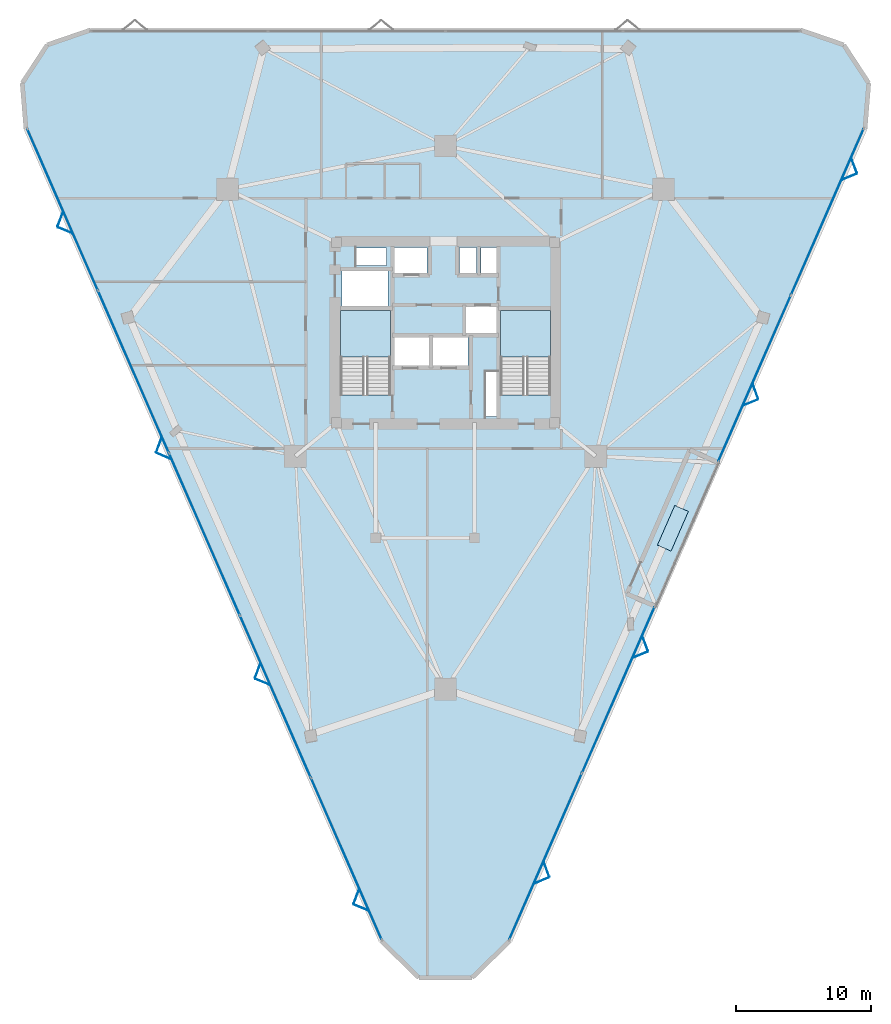
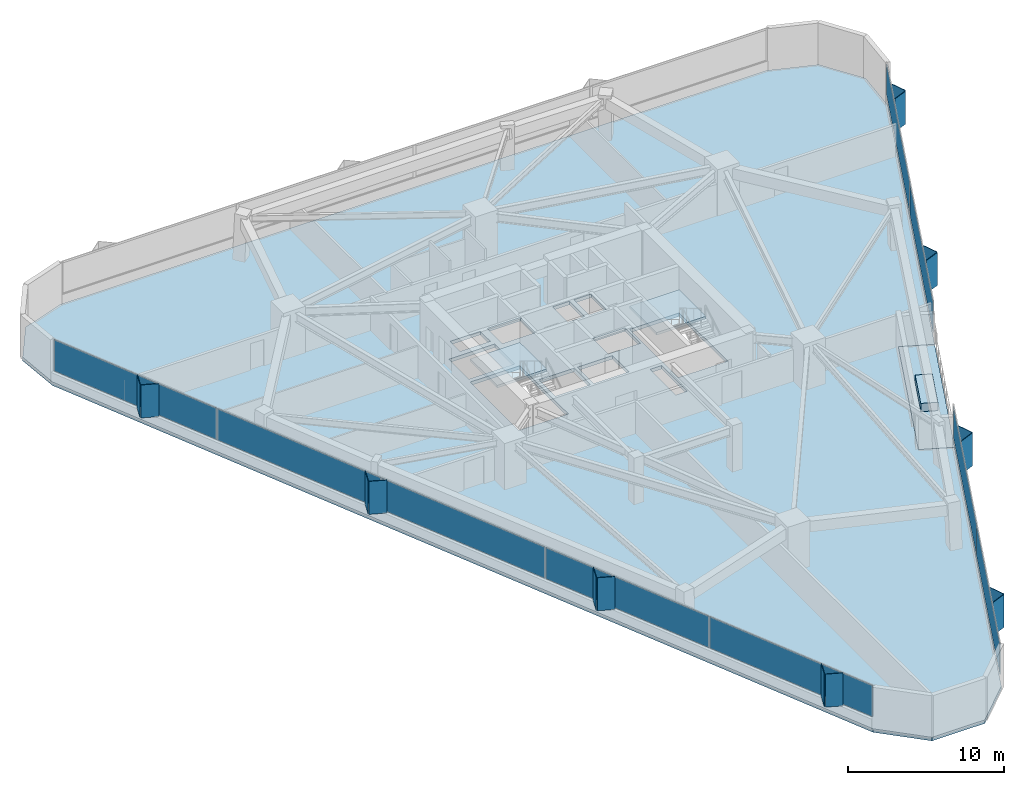
# One storey, part 10 of 14: 26 plates, 4 slabs, 5 elements without a shape of their own.
"""IFC4 building model written with IfcOpenShell, lengths in metres."""

from ifc_helpers import new_model, si_unit, direction, frame, origin, origin_2d, place, context, subcontext, project, spatial, polyline, rectangle, outline, extrude, material, layer, layer_set, type_object, element, aggregate, save


model = new_model("IFC4")

# Units and contexts
model_context = context("Model", 3, precision=1e-05, world=origin(), true_north=direction((0.0, 1.0)))
body_context = subcontext(model_context, "Body", "Model", "MODEL_VIEW")
ifc_project = project(units=[si_unit("LENGTHUNIT", "METRE"), si_unit("AREAUNIT", "SQUARE_METRE"), si_unit("VOLUMEUNIT", "CUBIC_METRE"), si_unit("PLANEANGLEUNIT", "RADIAN"), si_unit("MASSUNIT", "GRAM", prefix="KILO")], contexts=[model_context])

# Site, building, storey
site_placement = place(None, origin())
site = spatial("IfcSite", under=ifc_project, at=site_placement, CompositionType="ELEMENT")
building_placement = place(site_placement, origin())
building = spatial("IfcBuilding", under=site, at=building_placement, Name="Talyreon Biosciences Tower", CompositionType="ELEMENT")
storey_placement = place(building_placement, frame((0.0, 0.0, 96.89990234375)))
storey = spatial("IfcBuildingStorey", under=building, at=storey_placement, Name="L25", CompositionType="ELEMENT", Elevation=96.89990234375)

# Curtain wall, plates
ifc_material_1 = material(Name="Thermally broken aluminium and low-E glazing", Category="aluminium")
ifc_layer_1 = layer(ifc_material_1, 0.205078125)
ifc_layer_set_1 = layer_set([ifc_layer_1], Name="Thermally broken aluminium and low-E glazing")
curtain_wall_type = type_object("IfcCurtainWallType", Name="CurtainWall_SkyGardenLoggia", PredefinedType="NOTDEFINED", material=ifc_layer_set_1)
curtain_wall_1_placement = place(storey_placement, origin())
curtain_wall_1 = element("IfcCurtainWall", 1, at=curtain_wall_1_placement, inside=storey, type_object=curtain_wall_type, Name="L25 Unitised Curtain Wall FCW-L25-07", PredefinedType="NOTDEFINED")
ifc_material_2 = material(Name="Acoustic laminated low-E insulated glazing", Category="glass")
ifc_layer_2 = layer(ifc_material_2, 0.0380859375)
ifc_layer_set_2 = layer_set([ifc_layer_2], Name="Acoustic laminated low-E insulated glazing")
plate_type_1 = type_object("IfcPlateType", Name="CWGlazingPanel_38", PredefinedType="CURTAIN_PANEL", material=ifc_layer_set_2)
plate_1_placement = place(storey_placement, frame((94.20654296875, 76.916748046875, 0.875), z_axis=(0.0, 0.0, 1.0), x_axis=(-0.400542784513, -0.916278057019, 0.0)))
plate_1 = element("IfcPlate", 2, at=plate_1_placement, type_object=plate_type_1, Name="CW7 panel 1.1", PredefinedType="CURTAIN_PANEL", context=body_context, shape_type="SweptSolid", body=[
    extrude(rectangle(XDim=13.352294921875, YDim=0.0380859375, at=origin_2d()), origin(), (0.0, 0.0, 1.0), 2.43505859375),
])
plate_2_placement = place(storey_placement, frame((88.828125, 64.613525390625, 0.875), z_axis=(0.0, 0.0, 1.0), x_axis=(-0.400542784513, -0.916278057019, 0.0)))
plate_2 = element("IfcPlate", 3, at=plate_2_placement, type_object=plate_type_1, Name="CW7 panel 2.1", PredefinedType="CURTAIN_PANEL", context=body_context, shape_type="SweptSolid", body=[
    extrude(rectangle(XDim=13.352294921875, YDim=0.0380859375, at=origin_2d()), origin(), (0.0, 0.0, 1.0), 2.43505859375),
])
aggregate(curtain_wall_1, [plate_1, plate_2])

curtain_wall_2_placement = place(storey_placement, origin())
curtain_wall_2 = element("IfcCurtainWall", 4, at=curtain_wall_2_placement, inside=storey, type_object=curtain_wall_type, Name="L25 Unitised Curtain Wall FCW-L25-11", PredefinedType="NOTDEFINED")
plate_3_placement = place(storey_placement, frame((78.773681640625, 41.61279296875, 0.875), z_axis=(0.0, 0.0, 1.0), x_axis=(-0.400541421669, -0.916278652773, 0.0)))
plate_3 = element("IfcPlate", 5, at=plate_3_placement, type_object=plate_type_1, Name="CW7 panel 1.1", PredefinedType="CURTAIN_PANEL", context=body_context, shape_type="SweptSolid", body=[
    extrude(rectangle(XDim=13.352294921875, YDim=0.0380859375, at=origin_2d()), origin(), (0.0, 0.0, 1.0), 2.43505859375),
])
plate_4_placement = place(storey_placement, frame((73.3955078125, 29.3095703125, 0.875), z_axis=(0.0, 0.0, 1.0), x_axis=(-0.400541421669, -0.916278652773, 0.0)))
plate_4 = element("IfcPlate", 6, at=plate_4_placement, type_object=plate_type_1, Name="CW7 panel 2.1", PredefinedType="CURTAIN_PANEL", context=body_context, shape_type="SweptSolid", body=[
    extrude(rectangle(XDim=13.352294921875, YDim=0.0380859375, at=origin_2d()), origin(), (0.0, 0.0, 1.0), 2.43505859375),
])
aggregate(curtain_wall_2, [plate_3, plate_4])

curtain_wall_3_placement = place(storey_placement, origin())
curtain_wall_3 = element("IfcCurtainWall", 7, at=curtain_wall_3_placement, inside=storey, type_object=curtain_wall_type, Name="L25 Unitised Curtain Wall FCW-L25-15", PredefinedType="NOTDEFINED")
plate_5_placement = place(storey_placement, frame((58.67919921875, 29.138671875, 0.875), z_axis=(0.0, 0.0, 1.0), x_axis=(-0.400542414041, 0.916278218967, 0.0)))
plate_5 = element("IfcPlate", 8, at=plate_5_placement, type_object=plate_type_1, Name="CW7 panel 1.1", PredefinedType="CURTAIN_PANEL", context=body_context, shape_type="SweptSolid", body=[
    extrude(rectangle(XDim=12.9794921875, YDim=0.0380859375, at=origin_2d()), origin(), (0.0, 0.0, 1.0), 2.43505859375),
])
plate_6_placement = place(storey_placement, frame((53.44287109375, 41.1171875, 0.875), z_axis=(0.0, 0.0, 1.0), x_axis=(-0.400542414041, 0.916278218967, 0.0)))
plate_6 = element("IfcPlate", 9, at=plate_6_placement, type_object=plate_type_1, Name="CW7 panel 2.1", PredefinedType="CURTAIN_PANEL", context=body_context, shape_type="SweptSolid", body=[
    extrude(rectangle(XDim=13.016845703125, YDim=0.0380859375, at=origin_2d()), origin(), (0.0, 0.0, 1.0), 2.43505859375),
])
plate_7_placement = place(storey_placement, frame((48.198974609375, 53.113037109375, 0.875), z_axis=(0.0, 0.0, 1.0), x_axis=(-0.400542414041, 0.916278218967, 0.0)))
plate_7 = element("IfcPlate", 10, at=plate_7_placement, type_object=plate_type_1, Name="CW7 panel 3.1", PredefinedType="CURTAIN_PANEL", context=body_context, shape_type="SweptSolid", body=[
    extrude(rectangle(XDim=13.016845703125, YDim=0.0380859375, at=origin_2d()), origin(), (0.0, 0.0, 1.0), 2.43505859375),
])
plate_8_placement = place(storey_placement, frame((42.955078125, 65.10888671875, 0.875), z_axis=(0.0, 0.0, 1.0), x_axis=(-0.400542414041, 0.916278218967, 0.0)))
plate_8 = element("IfcPlate", 11, at=plate_8_placement, type_object=plate_type_1, Name="CW7 panel 4.1", PredefinedType="CURTAIN_PANEL", context=body_context, shape_type="SweptSolid", body=[
    extrude(rectangle(XDim=13.016845703125, YDim=0.0380859375, at=origin_2d()), origin(), (0.0, 0.0, 1.0), 2.43505859375),
])
plate_9_placement = place(storey_placement, frame((37.71875, 77.08740234375, 0.875), z_axis=(0.0, 0.0, 1.0), x_axis=(-0.400542414041, 0.916278218967, 0.0)))
plate_9 = element("IfcPlate", 12, at=plate_9_placement, type_object=plate_type_1, Name="CW7 panel 5.1", PredefinedType="CURTAIN_PANEL", context=body_context, shape_type="SweptSolid", body=[
    extrude(rectangle(XDim=12.9794921875, YDim=0.0380859375, at=origin_2d()), origin(), (0.0, 0.0, 1.0), 2.43505859375),
])
aggregate(curtain_wall_3, [plate_5, plate_6, plate_7, plate_8, plate_9])

# Plates
ifc_material_3 = material(Name="Ivory GFRC sunshade panel", Category="concrete")
ifc_layer_3 = layer(ifc_material_3, 0.044921875)
ifc_layer_set_3 = layer_set([ifc_layer_3], Name="Ivory GFRC sunshade panel")
plate_type_2 = type_object("IfcPlateType", Name="FoldedVSunshade_SunFace_SUNSHADE", PredefinedType="USERDEFINED", material=ifc_layer_set_3)
for number, where, z_axis, x_axis, name in (
    (13, (96.18408203125, 80.342529296875, 0.7900390625), (0.0, 0.0, 1.0), (0.348375735797, -0.937354973693, 0.0), "L25 Folded V-Sunshade Panel 07.01L"),
    (14, (95.82373046875, 79.517822265625, 0.7900390625), (0.0, 0.0, 1.0), (-0.924625824527, -0.380876731525, 0.0), "L25 Folded V-Sunshade Panel 07.01R"),
    (15, (88.894287109375, 63.666259765625, 0.7900390625), (0.0, 0.0, 1.0), (0.348375735797, -0.937354973693, 0.0), "L25 Folded V-Sunshade Panel 07.02L"),
    (16, (88.533935546875, 62.841552734375, 0.7900390625), (0.0, 0.0, 1.0), (-0.924625824527, -0.380876731525, 0.0), "L25 Folded V-Sunshade Panel 07.02R"),
    (17, (80.75146484375, 45.03857421875, 0.7900390625), (0.0, 0.0, 1.0), (0.348375735797, -0.937354973693, 0.0), "L25 Folded V-Sunshade Panel 11.01L"),
    (18, (80.390869140625, 44.2138671875, 0.7900390625), (0.0, 0.0, 1.0), (-0.924625824527, -0.380876731525, 0.0), "L25 Folded V-Sunshade Panel 11.01R"),
    (19, (73.461669921875, 28.3623046875, 0.7900390625), (0.0, 0.0, 1.0), (0.348375735797, -0.937354973693, 0.0), "L25 Folded V-Sunshade Panel 11.02L"),
    (20, (73.10107421875, 27.53759765625, 0.7900390625), (0.0, 0.0, 1.0), (-0.924625824527, -0.380876731525, 0.0), "L25 Folded V-Sunshade Panel 11.02R"),
    (21, (59.77587890625, 25.53125, 0.7900390625), (0.0, 0.0, 1.0), (-0.924625824527, 0.380876731525, 0.0), "L25 Folded V-Sunshade Panel 15.01L"),
    (22, (59.41552734375, 26.35595703125, 0.7900390625), (0.0, 0.0, 1.0), (0.348375735797, 0.937354973693, 0.0), "L25 Folded V-Sunshade Panel 15.01R"),
    (23, (52.486083984375, 42.20751953125, 0.7900390625), (0.0, 0.0, 1.0), (-0.924625824527, 0.380876731525, 0.0), "L25 Folded V-Sunshade Panel 15.02L"),
    (24, (52.125732421875, 43.031982421875, 0.7900390625), (0.0, 0.0, 1.0), (0.348375735797, 0.937354973693, 0.0), "L25 Folded V-Sunshade Panel 15.02R"),
    (25, (45.1962890625, 58.8837890625, 0.7900390625), (0.0, 0.0, 1.0), (-0.924625824527, 0.380876731525, 0.0), "L25 Folded V-Sunshade Panel 15.03L"),
    (26, (44.835693359375, 59.70849609375, 0.7900390625), (0.0, 0.0, 1.0), (0.348375735797, 0.937354973693, 0.0), "L25 Folded V-Sunshade Panel 15.03R"),
    (27, (37.906494140625, 75.56005859375, 0.7900390625), (0.0, 0.0, 1.0), (-0.924625824527, 0.380876731525, 0.0), "L25 Folded V-Sunshade Panel 15.04L"),
    (28, (37.5458984375, 76.384765625, 0.7900390625), (0.0, 0.0, 1.0), (0.348375735797, 0.937354973693, 0.0), "L25 Folded V-Sunshade Panel 15.04R"),
):
    element("IfcPlate", number, at=place(storey_placement, frame(where, z_axis=z_axis, x_axis=x_axis)), inside=storey, type_object=plate_type_2, Name=name, ObjectType="SUNSHADE", PredefinedType="USERDEFINED", context=body_context, shape_type="SweptSolid", body=[
        extrude(rectangle(XDim=1.14990234375, YDim=0.044921875, at=origin_2d()), origin(), (0.0, 0.0, 1.0), 2.5849609375),
    ])
ifc_material_4 = material(Name="Terracotta-faced precast planter Concrete C40/50", Category="masonry")
ifc_layer_4 = layer(ifc_material_4, 0.64990234375)
ifc_layer_set_4 = layer_set([ifc_layer_4], Name="Terracotta-faced precast planter Concrete C40/50")
plate_type_3 = type_object("IfcPlateType", Name="SkyGardenPlanter_PLANTER", PredefinedType="USERDEFINED", material=ifc_layer_set_4)
plate_10_placement = place(storey_placement, frame((82.797607421875, 53.5517578125, 0.000244140625), z_axis=(0.0, 0.0, 1.0), x_axis=(0.400540946336, 0.916278860559, 0.0)))
element("IfcPlate", 29, at=plate_10_placement, inside=storey, type_object=plate_type_3, Name="L25 Sky-Garden Structural Planter", ObjectType="PLANTER", PredefinedType="USERDEFINED", context=body_context, shape_type="SweptSolid", body=[
    extrude(rectangle(XDim=3.199951171875, YDim=1.10009765625, at=origin_2d()), origin(), (0.0, 0.0, 1.0), 0.64990234375),
])

# Slab
ifc_material_5 = material(Name="Concrete C40/50", Category="concrete")
ifc_layer_5 = layer(ifc_material_5, 0.330078125)
ifc_layer_set_5 = layer_set([ifc_layer_5], Name="Concrete C40/50")
slab_type_1 = type_object("IfcSlabType", Name="SkyGardenTerraceRoof_330", PredefinedType="ROOF", material=ifc_layer_set_5)
slab_1_placement = place(storey_placement, frame((0.0, 0.0, -0.329833984375)))
element("IfcSlab", 30, at=slab_1_placement, inside=storey, type_object=slab_type_1, Name="L25 Planted Sky-Garden Terrace Slab", PredefinedType="ROOF", context=body_context, shape_type="SweptSolid", body=[
    extrude(outline(polyline([(81.551025390625, 47.7666015625), (79.39794921875, 48.7080078125), (84.044189453125, 59.3369140625), (86.197509765625, 58.3955078125), (81.551025390625, 47.7666015625)])), origin(), (0.0, 0.0, 1.0), 0.329833984375),
])

# Stair, slab
stair_type = type_object("IfcStairType", Name="DoglegEscapeStair_3650", PredefinedType="HALF_TURN_STAIR", material=ifc_material_5)
stair_1_placement = place(storey_placement, origin())
stair_1 = element("IfcStair", 31, at=stair_1_placement, inside=storey, type_object=stair_type, Name="L25 Core Escape Stair 1", PredefinedType="HALF_TURN_STAIR")
ifc_layer_6 = layer(ifc_material_5, 0.199951171875)
ifc_layer_set_6 = layer_set([ifc_layer_6], Name="Concrete C40/50")
slab_type_2 = type_object("IfcSlabType", Name="StairLandingSlab_200", PredefinedType="LANDING", material=ifc_layer_set_6)
slab_2_placement = place(storey_placement, frame((0.0, 0.0, 1.625)))
slab_2 = element("IfcSlab", 32, at=slab_2_placement, type_object=slab_type_2, Name="ST-1 landing 1", PredefinedType="LANDING", context=body_context, shape_type="SweptSolid", body=[
    extrude(outline(polyline([(61.929931640625, 66.199951171875), (61.929931640625, 69.64990234375), (58.25, 69.64990234375), (58.25, 66.199951171875), (61.929931640625, 66.199951171875)])), origin(), (0.0, 0.0, 1.0), 0.2001953125),
])
aggregate(stair_1, [slab_2])

stair_2_placement = place(storey_placement, origin())
stair_2 = element("IfcStair", 33, at=stair_2_placement, inside=storey, type_object=stair_type, Name="L25 Core Escape Stair 2", PredefinedType="HALF_TURN_STAIR")
slab_3_placement = place(storey_placement, frame((0.0, 0.0, 1.625)))
slab_3 = element("IfcSlab", 34, at=slab_3_placement, type_object=slab_type_2, Name="ST-2 landing 1", PredefinedType="LANDING", context=body_context, shape_type="SweptSolid", body=[
    extrude(outline(polyline([(73.75, 66.199951171875), (73.75, 69.64990234375), (70.070068359375, 69.64990234375), (70.070068359375, 66.199951171875), (73.75, 66.199951171875)])), origin(), (0.0, 0.0, 1.0), 0.2001953125),
])
aggregate(stair_2, [slab_3])

# Slab
ifc_layer_7 = layer(ifc_material_5, 0.27490234375)
ifc_layer_set_7 = layer_set([ifc_layer_7], Name="Concrete C40/50")
slab_type_3 = type_object("IfcSlabType", Name="WetLabFloorSlab_275", PredefinedType="FLOOR", material=ifc_layer_set_7)
slab_4_placement = place(storey_placement, frame((0.0, 0.0, -0.27490234375)))
element("IfcSlab", 35, at=slab_4_placement, inside=storey, type_object=slab_type_3, Name="L25 Structural Floor Slab", PredefinedType="FLOOR", context=body_context, shape_type="SweptSolid", body=[
    extrude(outline(polyline([(35.01611328125, 83.070556640625), (34.740966796875, 86.43408203125), (36.588623046875, 89.25830078125), (39.78076171875, 90.353515625), (92.21923828125, 90.353515625), (95.411376953125, 89.25830078125), (97.259033203125, 86.43408203125), (96.98388671875, 83.070556640625), (86.197509765625, 58.3955078125), (84.044189453125, 59.3369140625), (79.39794921875, 48.7080078125), (81.551025390625, 47.7666015625), (70.7646484375, 23.091552734375), (67.958740234375, 20.357421875), (64.041259765625, 20.357421875), (61.2353515625, 23.091552734375), (35.01611328125, 83.070556640625)]), holes=[polyline([(61.929931640625, 69.64990234375), (61.929931640625, 63.407958984375), (58.25, 63.407958984375), (58.25, 69.64990234375), (61.929931640625, 69.64990234375)]), polyline([(64.800048828125, 67.64990234375), (64.800048828125, 65.550048828125), (62.199951171875, 65.550048828125), (62.199951171875, 67.64990234375), (64.800048828125, 67.64990234375)]), polyline([(67.64990234375, 67.64990234375), (67.64990234375, 65.550048828125), (65.050048828125, 65.550048828125), (65.050048828125, 67.64990234375), (67.64990234375, 67.64990234375)]), polyline([(61.75, 69.97998046875), (58.35009765625, 69.97998046875), (58.35009765625, 72.550048828125), (61.75, 72.550048828125), (61.75, 69.97998046875)]), polyline([(64.64990234375, 72.35009765625), (62.199951171875, 72.35009765625), (62.199951171875, 74.300048828125), (64.64990234375, 74.300048828125), (64.64990234375, 72.35009765625)]), polyline([(61.64990234375, 74.25), (61.64990234375, 72.9599609375), (59.39990234375, 72.9599609375), (59.39990234375, 74.25), (61.64990234375, 74.25)]), polyline([(69.820068359375, 61.800048828125), (68.9599609375, 61.800048828125), (68.9599609375, 65.10009765625), (69.820068359375, 65.10009765625), (69.820068359375, 61.800048828125)]), polyline([(73.75, 63.407958984375), (70.070068359375, 63.407958984375), (70.070068359375, 69.64990234375), (73.75, 69.64990234375), (73.75, 63.407958984375)]), polyline([(69.89990234375, 69.949951171875), (69.89990234375, 67.949951171875), (67.5, 67.949951171875), (67.5, 69.949951171875), (69.89990234375, 69.949951171875)]), polyline([(68.300048828125, 72.35009765625), (67.050048828125, 72.35009765625), (67.050048828125, 74.300048828125), (68.300048828125, 74.300048828125), (68.300048828125, 72.35009765625)]), polyline([(69.919921875, 72.35009765625), (68.6201171875, 72.35009765625), (68.6201171875, 74.300048828125), (69.919921875, 74.300048828125), (69.919921875, 72.35009765625)])]), origin(), (0.0, 0.0, 1.0), 0.27490234375),
])

save(model, "model.ifc")
